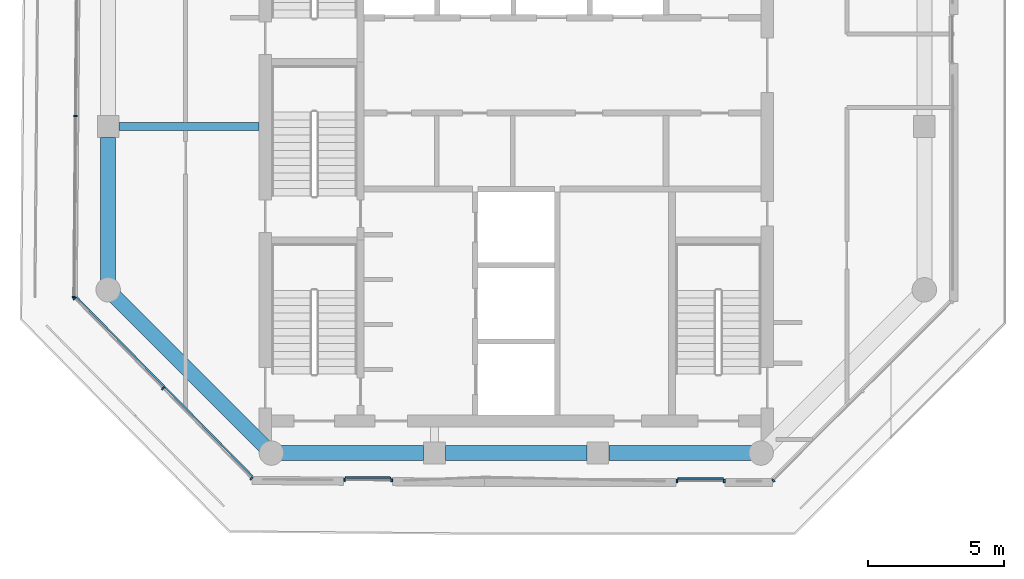
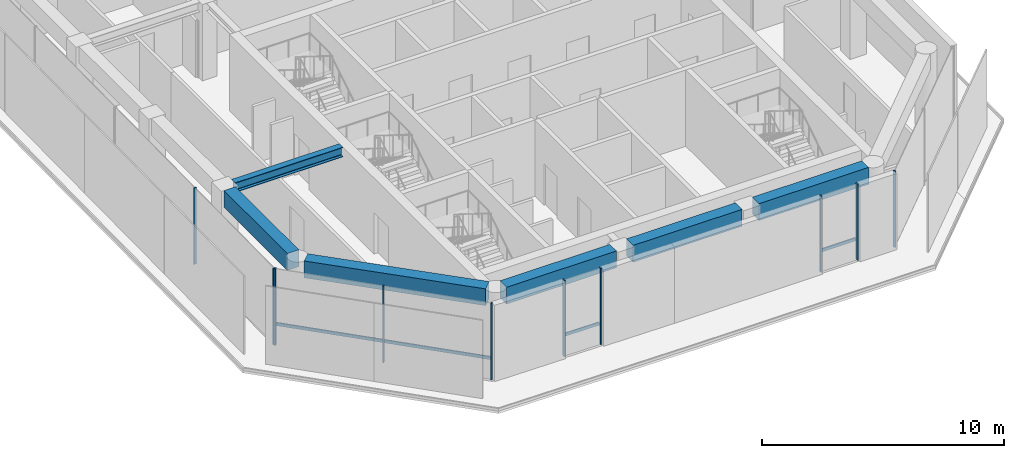
# One storey, part 2 of 19: 13 members, 6 beams, 5 elements without a shape of their own.
"""IFC4 building model written with IfcOpenShell, lengths in metres."""

import ifcopenshell
import ifcopenshell.guid

model = None  # the IFC model being written
_history = None  # IfcOwnerHistory: only IFC2X3 demands one
_inside = {}  # id of a spatial element -> (the spatial element, [elements in it])
_under = {}  # id of a project, library or spatial element -> (it, [spatial elements below it])
_declared = {}  # id of a project -> (the project, [libraries it declares])
_typed = {}  # id of a type object -> (the type object, [elements of that type])
_made_of = {}  # id of a material, layer set ... -> (it, [elements and type objects made of it])


def new_model(schema):
    """Start an empty IFC model of exactly this schema.

    Asked for "IFC4X3", IfcOpenShell would pick the latest addendum, in which some entities
    have other attributes; the version numbers below select the first issue.
    IFC2X3 requires an IfcOwnerHistory on every rooted entity: one is made here for all.
    """
    global model, _history
    if schema == "IFC4X3":
        model = ifcopenshell.file(schema_version=(4, 3, 0, 0))
    else:
        model = ifcopenshell.file(schema=schema)
    _inside.clear()
    _under.clear()
    _declared.clear()
    _typed.clear()
    _made_of.clear()
    _history = None
    if model.schema == "IFC2X3":
        org = make("IfcOrganization", Name="unknown")
        user = make(
            "IfcPersonAndOrganization",
            ThePerson=make("IfcPerson", FamilyName="unknown"),
            TheOrganization=org,
        )
        app = make(
            "IfcApplication",
            ApplicationDeveloper=org,
            Version="unknown",
            ApplicationFullName="unknown",
            ApplicationIdentifier="unknown",
        )
        _history = make(
            "IfcOwnerHistory",
            OwningUser=user,
            OwningApplication=app,
            ChangeAction="ADDED",
            CreationDate=0,
        )
    return model


def make(cls, **values):
    """One entity of the class cls with the attributes given. An attribute that is None is left unset."""
    return model.create_entity(
        cls, **{name: value for name, value in values.items() if value is not None}
    )


def rooted(cls, **values):
    """An entity with a GlobalId (a new one), such as an element, a storey or a relation."""
    return make(cls, GlobalId=ifcopenshell.guid.new(), OwnerHistory=_history, **values)


def si_unit(unit_type, name, prefix=None):
    """IfcSIUnit, for example si_unit("LENGTHUNIT", "METRE", prefix="MILLI")."""
    return make("IfcSIUnit", UnitType=unit_type, Prefix=prefix, Name=name)


def assignment(units):
    """IfcUnitAssignment: the units of a project."""
    return None if units is None else make("IfcUnitAssignment", Units=units)


def point(xyz):
    """IfcCartesianPoint."""
    return None if xyz is None else make("IfcCartesianPoint", Coordinates=xyz)


def direction(xyz):
    """IfcDirection."""
    return None if xyz is None else make("IfcDirection", DirectionRatios=xyz)


def frame(location, z_axis=None, x_axis=None):
    """IfcAxis2Placement3D, a coordinate frame: its origin and axes. An axis left out is left unset."""
    return make(
        "IfcAxis2Placement3D",
        Location=point(location),
        Axis=direction(z_axis),
        RefDirection=direction(x_axis),
    )


def frame_2d(location, x_axis=None):
    """IfcAxis2Placement2D, a coordinate frame in the plane: its origin and x axis."""
    return make(
        "IfcAxis2Placement2D", Location=point(location), RefDirection=direction(x_axis)
    )


def origin():
    """The frame at (0, 0, 0) with its axes left unset."""
    return frame((0.0, 0.0, 0.0))


def origin_2d():
    """The frame at (0, 0) in the plane with its x axis left unset."""
    return frame_2d((0.0, 0.0))


def place(relative_to, where):
    """IfcLocalPlacement: puts the frame where relative to a parent placement (None: the world)."""
    return make(
        "IfcLocalPlacement", PlacementRelTo=relative_to, RelativePlacement=where
    )


def context(
    kind, dimensions, precision=None, world=None, true_north=None, identifier=None
):
    """IfcGeometricRepresentationContext, for example the 3D "Model" context."""
    return make(
        "IfcGeometricRepresentationContext",
        ContextIdentifier=identifier,
        ContextType=kind,
        CoordinateSpaceDimension=dimensions,
        Precision=precision,
        WorldCoordinateSystem=world,
        TrueNorth=true_north,
    )


def subcontext(parent, identifier, kind, view, scale=None):
    """IfcGeometricRepresentationSubContext, for example "Body" below "Model"."""
    return make(
        "IfcGeometricRepresentationSubContext",
        ContextIdentifier=identifier,
        ContextType=kind,
        ParentContext=parent,
        TargetScale=scale,
        TargetView=view,
    )


def project(units=None, contexts=None):
    """IfcProject with its units and contexts."""
    return rooted(
        "IfcProject",
        Name="project",
        RepresentationContexts=contexts,
        UnitsInContext=assignment(units),
    )


def spatial(cls, under=None, at=None, **own):
    """A site, building, storey or space (cls), placed at a placement, below another one or the project."""
    s = rooted(cls, ObjectPlacement=at, **own)
    if under is not None:
        _under.setdefault(under.id(), (under, []))[1].append(s)
    return s


def profile(cls, at=None, kind="AREA", **sizes):
    """A parametric profile (cls). Its sizes go by their IFC names, for example OverallWidth=200.0."""
    return make(cls, ProfileType=kind, Position=at, **sizes)


def rectangle(**sizes):
    """IfcRectangleProfileDef."""
    return profile("IfcRectangleProfileDef", **sizes)


def i_section(**sizes):
    """IfcIShapeProfileDef."""
    return profile("IfcIShapeProfileDef", **sizes)


def extrude(swept, where, along, depth):
    """IfcExtrudedAreaSolid: the profile swept, set in the frame where, extruded along a direction by depth."""
    return make(
        "IfcExtrudedAreaSolid",
        SweptArea=swept,
        Position=where,
        ExtrudedDirection=direction(along),
        Depth=depth,
    )


def shape(context_of_items, identifier, shape_type, items):
    """IfcShapeRepresentation: the items that make up one representation, for example the "Body"."""
    return make(
        "IfcShapeRepresentation",
        ContextOfItems=context_of_items,
        RepresentationIdentifier=identifier,
        RepresentationType=shape_type,
        Items=items,
    )


def material(Name=None, Category=None):
    """IfcMaterial."""
    return make("IfcMaterial", Name=Name, Category=Category)


def layer(
    of_material, thickness, ventilated=None, Name=None, Category=None, Priority=None
):
    """IfcMaterialLayer: one layer of a wall or slab, of a material (None: an air gap)."""
    return make(
        "IfcMaterialLayer",
        Material=of_material,
        LayerThickness=thickness,
        IsVentilated=ventilated,
        Name=Name,
        Category=Category,
        Priority=Priority,
    )


def layer_set(layers, Name=None):
    """IfcMaterialLayerSet."""
    return make("IfcMaterialLayerSet", MaterialLayers=layers, LayerSetName=Name)


def material_profile(
    of_material, cross_section, Name=None, Category=None, Priority=None
):
    """IfcMaterialProfile: a cross section and its material."""
    return make(
        "IfcMaterialProfile",
        Name=Name,
        Material=of_material,
        Profile=cross_section,
        Priority=Priority,
        Category=Category,
    )


def profile_set(profiles, Name=None, composite=None):
    """IfcMaterialProfileSet."""
    return make(
        "IfcMaterialProfileSet",
        Name=Name,
        MaterialProfiles=profiles,
        CompositeProfile=composite,
    )


def made_of(thing, what):
    """Note that an element or type object is made of a material, layer set ...; save() writes the relation."""
    if what is not None:
        _made_of.setdefault(what.id(), (what, []))[1].append(thing)
    return thing


def type_object(cls, material=None, **own):
    """A type object (cls), such as IfcWallType, which elements share."""
    return made_of(rooted(cls, **own), material)


def element(
    cls,
    number,
    at=None,
    inside=None,
    cuts=None,
    type_object=None,
    material=None,
    context=None,
    identifier="Body",
    shape_type=None,
    held_by="IfcProductDefinitionShape",
    body=None,
    shapes=None,
    **own,
):
    """One element of the class cls, such as IfcWall. Its Tag is "e" and its number.

    at: its placement. inside: the storey or other place that contains it. cuts: it is an
    opening in that element (IfcRelVoidsElement). A single representation is given by context,
    identifier, shape_type and body (its items); several are given by shapes. held_by: the class
    of the entity that holds the representations. save() writes the other relations.
    """
    e = rooted(cls, Tag="e%d" % number, ObjectPlacement=at, **own)
    if body is not None:
        shapes = [shape(context, identifier, shape_type, body)]
    if shapes is not None:
        e.Representation = make(held_by, Representations=shapes)
    if inside is not None:
        _inside.setdefault(inside.id(), (inside, []))[1].append(e)
    if cuts is not None:
        rooted(
            "IfcRelVoidsElement", RelatingBuildingElement=cuts, RelatedOpeningElement=e
        )
    if type_object is not None:
        _typed.setdefault(type_object.id(), (type_object, []))[1].append(e)
    return made_of(e, material)


def aggregate(whole, parts):
    """IfcRelAggregates: a whole, such as a stair, and the parts it consists of."""
    return rooted("IfcRelAggregates", RelatingObject=whole, RelatedObjects=parts)


def save(model, path):
    """Write the relations noted so far, then the file.

    IfcRelAggregates (storeys below a building ...), IfcRelContainedInSpatialStructure (elements
    in a storey), IfcRelDefinesByType, IfcRelAssociatesMaterial and IfcRelDeclares: one each for
    every whole, place, type object, material and project.
    """
    for whole, parts in _under.values():
        aggregate(whole, parts)
    for where, things in _inside.values():
        rooted(
            "IfcRelContainedInSpatialStructure",
            RelatedElements=things,
            RelatingStructure=where,
        )
    for kind, things in _typed.values():
        rooted("IfcRelDefinesByType", RelatedObjects=things, RelatingType=kind)
    for what, things in _made_of.values():
        rooted("IfcRelAssociatesMaterial", RelatedObjects=things, RelatingMaterial=what)
    for by, libraries in _declared.values():
        rooted("IfcRelDeclares", RelatingContext=by, RelatedDefinitions=libraries)
    model.write(path)


model = new_model("IFC4")

# Units and contexts
model_context = context("Model", 3, precision=1e-05, world=origin(), true_north=direction((0.0, 1.0)))
body_context = subcontext(model_context, "Body", "Model", "MODEL_VIEW")
ifc_project = project(units=[si_unit("LENGTHUNIT", "METRE"), si_unit("AREAUNIT", "SQUARE_METRE"), si_unit("VOLUMEUNIT", "CUBIC_METRE"), si_unit("PLANEANGLEUNIT", "RADIAN"), si_unit("MASSUNIT", "GRAM", prefix="KILO")], contexts=[model_context])

# Site, building, storey
site_placement = place(None, origin())
site = spatial("IfcSite", under=ifc_project, at=site_placement, CompositionType="ELEMENT")
building_placement = place(site_placement, origin())
building = spatial("IfcBuilding", under=site, at=building_placement, Name="Welwitschia Terrace Campus", CompositionType="ELEMENT")
storey_placement = place(building_placement, frame((0.0, 0.0, 230.60009765625)))
storey = spatial("IfcBuildingStorey", under=building, at=storey_placement, Name="L51", CompositionType="ELEMENT", Elevation=230.60009765625)

# Curtain wall, members
ifc_material_1 = material(Name="Bronze anodised aluminium", Category="aluminium")
ifc_layer = layer(ifc_material_1, 0.1201171875)
ifc_layer_set = layer_set([ifc_layer], Name="Bronze anodised aluminium")
curtain_wall_type = type_object("IfcCurtainWallType", Name="Curtain wall CW2 tower 6000", PredefinedType="NOTDEFINED", material=ifc_layer_set)
curtain_wall_1_placement = place(storey_placement, origin())
curtain_wall_1 = element("IfcCurtainWall", 1, at=curtain_wall_1_placement, inside=storey, type_object=curtain_wall_type, Name="CW L51.2.0", PredefinedType="NOTDEFINED")
ifc_material_2 = material(Name="Bronze anodised aluminium", Category="aluminium")
ifc_material_profile_1 = material_profile(ifc_material_2, rectangle(XDim=0.1201171875, YDim=0.06005859375, at=origin_2d()))
ifc_profile_set_1 = profile_set([ifc_material_profile_1], Name="Bronze anodised aluminium")
member_type_1 = type_object("IfcMemberType", Name="Mullion 60x120", PredefinedType="MULLION", material=ifc_profile_set_1)
member_1_placement = place(storey_placement, frame((-1.205078125, 16.392333984375, 0.0), z_axis=(0.0, 0.0, 1.0), x_axis=(0.999961923064, -0.008726535498, 0.0)))
member_1 = element("IfcMember", 2, at=member_1_placement, type_object=member_type_1, Name="Mullion L51.2.0.3", PredefinedType="MULLION", context=body_context, shape_type="SweptSolid", body=[
    extrude(rectangle(XDim=0.1201171875, YDim=0.06005859375, at=origin_2d()), origin(), (0.0, 0.0, 1.0), 3.849853515625),
])
member_2_placement = place(storey_placement, frame((-1.26318359375, 9.7353515625, 0.0), z_axis=(0.0, 0.0, 1.0), x_axis=(0.999961923064, -0.008726535498, 0.0)))
member_2 = element("IfcMember", 3, at=member_2_placement, type_object=member_type_1, Name="Mullion L51.2.0.4", PredefinedType="MULLION", context=body_context, shape_type="SweptSolid", body=[
    extrude(rectangle(XDim=0.1201171875, YDim=0.06005859375, at=origin_2d()), origin(), (0.0, 0.0, 1.0), 3.849853515625),
])
aggregate(curtain_wall_1, [member_1, member_2])

curtain_wall_2_placement = place(storey_placement, origin())
curtain_wall_2 = element("IfcCurtainWall", 4, at=curtain_wall_2_placement, inside=storey, type_object=curtain_wall_type, Name="CW L51.3.0", PredefinedType="NOTDEFINED")
member_3_placement = place(storey_placement, frame((-1.242431640625, 9.683837890625, 0.0), z_axis=(0.0, 0.0, 1.0), x_axis=(0.713250449154, 0.7009092643, 0.0)))
member_3 = element("IfcMember", 5, at=member_3_placement, type_object=member_type_1, Name="Mullion L51.3.0.0", PredefinedType="MULLION", context=body_context, shape_type="SweptSolid", body=[
    extrude(rectangle(XDim=0.1201171875, YDim=0.06005859375, at=origin_2d()), origin(), (0.0, 0.0, 1.0), 3.849853515625),
])
member_4_placement = place(storey_placement, frame((2.00927734375, 6.375, 0.0), z_axis=(0.0, 0.0, 1.0), x_axis=(0.713250449154, 0.7009092643, 0.0)))
member_4 = element("IfcMember", 6, at=member_4_placement, type_object=member_type_1, Name="Mullion L51.3.0.1", PredefinedType="MULLION", context=body_context, shape_type="SweptSolid", body=[
    extrude(rectangle(XDim=0.1201171875, YDim=0.06005859375, at=origin_2d()), origin(), (0.0, 0.0, 1.0), 3.849853515625),
])
member_5_placement = place(storey_placement, frame((5.260986328125, 3.06591796875, 0.0), z_axis=(0.0, 0.0, 1.0), x_axis=(0.713250449154, 0.7009092643, 0.0)))
member_5 = element("IfcMember", 7, at=member_5_placement, type_object=member_type_1, Name="Mullion L51.3.0.2", PredefinedType="MULLION", context=body_context, shape_type="SweptSolid", body=[
    extrude(rectangle(XDim=0.1201171875, YDim=0.06005859375, at=origin_2d()), origin(), (0.0, 0.0, 1.0), 3.849853515625),
])

curtain_wall_3_placement = place(storey_placement, origin())
curtain_wall_3 = element("IfcCurtainWall", 8, at=curtain_wall_3_placement, inside=storey, type_object=curtain_wall_type, Name="CW L51.4.S0", PredefinedType="NOTDEFINED")
member_6_placement = place(storey_placement, frame((8.6845703125, 3.014892578125, 0.0), z_axis=(0.0, 0.0, 1.0), x_axis=(0.008726535498, 0.999961923064, 0.0)))
member_6 = element("IfcMember", 9, at=member_6_placement, type_object=member_type_1, Name="Mullion L51.4.S0.0", PredefinedType="MULLION", context=body_context, shape_type="SweptSolid", body=[
    extrude(rectangle(XDim=0.1201171875, YDim=0.06005859375, at=origin_2d()), origin(), (0.0, 0.0, 1.0), 3.849853515625),
])
member_7_placement = place(storey_placement, frame((10.424560546875, 2.999755859375, 0.0), z_axis=(0.0, 0.0, 1.0), x_axis=(0.008726535498, 0.999961923064, 0.0)))
member_7 = element("IfcMember", 10, at=member_7_placement, type_object=member_type_1, Name="Mullion L51.4.S0.1", PredefinedType="MULLION", context=body_context, shape_type="SweptSolid", body=[
    extrude(rectangle(XDim=0.1201171875, YDim=0.06005859375, at=origin_2d()), origin(), (0.0, 0.0, 1.0), 3.849853515625),
])

curtain_wall_4_placement = place(storey_placement, origin())
curtain_wall_4 = element("IfcCurtainWall", 11, at=curtain_wall_4_placement, inside=storey, type_object=curtain_wall_type, Name="CW L51.5.S0", PredefinedType="NOTDEFINED")
member_8_placement = place(storey_placement, frame((20.90673828125, 2.969970703125, 0.0), z_axis=(0.0, 0.0, 1.0), x_axis=(0.0, 1.0, 0.0)))
member_8 = element("IfcMember", 12, at=member_8_placement, type_object=member_type_1, Name="Mullion L51.5.S0.0", PredefinedType="MULLION", context=body_context, shape_type="SweptSolid", body=[
    extrude(rectangle(XDim=0.1201171875, YDim=0.06005859375, at=origin_2d()), origin(), (0.0, 0.0, 1.0), 3.849853515625),
])
member_9_placement = place(storey_placement, frame((22.646728515625, 2.969970703125, 0.0), z_axis=(0.0, 0.0, 1.0), x_axis=(0.0, 1.0, 0.0)))
member_9 = element("IfcMember", 13, at=member_9_placement, type_object=member_type_1, Name="Mullion L51.5.S0.1", PredefinedType="MULLION", context=body_context, shape_type="SweptSolid", body=[
    extrude(rectangle(XDim=0.1201171875, YDim=0.06005859375, at=origin_2d()), origin(), (0.0, 0.0, 1.0), 3.849853515625),
])

# Curtain wall, member
curtain_wall_5_placement = place(storey_placement, origin())
curtain_wall_5 = element("IfcCurtainWall", 14, at=curtain_wall_5_placement, inside=storey, type_object=curtain_wall_type, Name="CW L51.6.0", PredefinedType="NOTDEFINED")
member_10_placement = place(storey_placement, frame((24.44775390625, 2.9912109375, 0.0), z_axis=(0.0, 0.0, 1.0), x_axis=(-0.707106781187, 0.707106781187, 0.0)))
member_10 = element("IfcMember", 15, at=member_10_placement, type_object=member_type_1, Name="Mullion L51.6.0.0", PredefinedType="MULLION", context=body_context, shape_type="SweptSolid", body=[
    extrude(rectangle(XDim=0.1201171875, YDim=0.06005859375, at=origin_2d()), origin(), (0.0, 0.0, 1.0), 3.849853515625),
])
aggregate(curtain_wall_5, [member_10])

# Beams
ifc_material_3 = material(Name="Steel S355", Category="steel")
ifc_material_profile_2 = material_profile(ifc_material_3, i_section(OverallWidth=0.300048828125, OverallDepth=0.489990234375, WebThickness=0.011962890625, FlangeThickness=0.02294921875, FilletRadius=0.027099609375, at=origin_2d()))
ifc_profile_set_2 = profile_set([ifc_material_profile_2], Name="Steel S355")
beam_type_1 = type_object("IfcBeamType", Name="Primary beam HE 500 A", PredefinedType="BEAM", material=ifc_profile_set_2)
beam_1_placement = place(storey_placement, frame((0.400390625, 16.0, 3.60498046875), z_axis=(1.0, 0.0, 0.0), x_axis=(0.0, 1.0, 0.0)))
element("IfcBeam", 16, at=beam_1_placement, inside=storey, type_object=beam_type_1, Name="Primary beam PB5", PredefinedType="BEAM", context=body_context, shape_type="SweptSolid", body=[
    extrude(i_section(OverallWidth=0.300048828125, OverallDepth=0.489990234375, WebThickness=0.011962890625, FlangeThickness=0.02294921875, FilletRadius=0.027099609375, at=origin_2d()), origin(), (0.0, 0.0, 1.0), 5.149658203125),
])
ifc_material_4 = material(Name="Concrete C50/60", Category="concrete")
ifc_material_profile_3 = material_profile(ifc_material_4, rectangle(XDim=0.550048828125, YDim=0.85009765625, at=origin_2d()))
ifc_profile_set_3 = profile_set([ifc_material_profile_3], Name="Concrete C50/60")
beam_type_2 = type_object("IfcBeamType", Name="Ring spandrel 550x850", PredefinedType="SPANDREL", material=ifc_profile_set_3)
beam_2_placement = place(storey_placement, frame((0.25244140625, 9.74755859375, 3.4248046875), z_axis=(0.707106781187, -0.707106781187, 0.0), x_axis=(0.707106781187, 0.707106781187, 0.0)))
element("IfcBeam", 17, at=beam_2_placement, inside=storey, type_object=beam_type_2, Name="Spandrel SP3", PredefinedType="SPANDREL", context=body_context, shape_type="SweptSolid", body=[
    extrude(rectangle(XDim=0.550048828125, YDim=0.85009765625, at=origin_2d()), origin(), (0.0, 0.0, 1.0), 7.771240234375),
])
beam_3_placement = place(storey_placement, frame((6.35693359375, 4.0, 3.4248046875), z_axis=(1.0, 0.0, 0.0), x_axis=(0.0, 1.0, 0.0)))
element("IfcBeam", 18, at=beam_3_placement, inside=storey, type_object=beam_type_2, Name="Spandrel SP3", PredefinedType="SPANDREL", context=body_context, shape_type="SweptSolid", body=[
    extrude(rectangle(XDim=0.550048828125, YDim=0.85009765625, at=origin_2d()), origin(), (0.0, 0.0, 1.0), 5.24267578125),
])
beam_4_placement = place(storey_placement, frame((12.400390625, 4.0, 3.4248046875), z_axis=(1.0, 0.0, 0.0), x_axis=(0.0, 1.0, 0.0)))
element("IfcBeam", 19, at=beam_4_placement, inside=storey, type_object=beam_type_2, Name="Spandrel SP3", PredefinedType="SPANDREL", context=body_context, shape_type="SweptSolid", body=[
    extrude(rectangle(XDim=0.550048828125, YDim=0.85009765625, at=origin_2d()), origin(), (0.0, 0.0, 1.0), 5.19921875),
])
for number, where, z_axis, x_axis, name in (
    (20, (18.400390625, 4.0, 3.4248046875), (1.0, 0.0, 0.0), (0.0, 1.0, 0.0), "Spandrel SP3"),
    (21, (0.0, 15.599609375, 3.4248046875), (0.0, -1.0, 0.0), (1.0, 0.0, 0.0), "Spandrel SP3"),
):
    element("IfcBeam", number, at=place(storey_placement, frame(where, z_axis=z_axis, x_axis=x_axis)), inside=storey, type_object=beam_type_2, Name=name, PredefinedType="SPANDREL", context=body_context, shape_type="SweptSolid", body=[
        extrude(rectangle(XDim=0.550048828125, YDim=0.85009765625, at=origin_2d()), origin(), (0.0, 0.0, 1.0), 5.24267578125),
    ])

# Member
ifc_material_5 = material(Name="Bronze anodised aluminium", Category="aluminium")
ifc_material_profile_4 = material_profile(ifc_material_5, rectangle(XDim=0.06005859375, YDim=0.14990234375, at=origin_2d()))
ifc_profile_set_4 = profile_set([ifc_material_profile_4], Name="Bronze anodised aluminium")
member_type_2 = type_object("IfcMemberType", Name="Transom 60x150", PredefinedType="USERDEFINED", material=ifc_profile_set_4)
member_11_placement = place(storey_placement, frame((-1.1572265625, 9.7255859375, 1.0), z_axis=(0.700909228055, -0.713250484772, 0.0), x_axis=(0.713250484772, 0.700909228055, 0.0)))
member_11 = element("IfcMember", 22, at=member_11_placement, type_object=member_type_2, Name="Transom L51.3.0", ObjectType="TRANSOM", PredefinedType="USERDEFINED", context=body_context, shape_type="SweptSolid", body=[
    extrude(rectangle(XDim=0.06005859375, YDim=0.14990234375, at=origin_2d()), origin(), (0.0, 0.0, 1.0), 9.21875),
])

aggregate(curtain_wall_2, [member_3, member_4, member_5, member_11])

member_12_placement = place(storey_placement, frame((8.71533203125, 3.1044921875, 1.0), z_axis=(0.999961985908, -0.00871933137, 0.0), x_axis=(0.00871933137, 0.999961985908, 0.0)))
member_12 = element("IfcMember", 23, at=member_12_placement, type_object=member_type_2, Name="Transom L51.4.S0", ObjectType="TRANSOM", PredefinedType="USERDEFINED", context=body_context, shape_type="SweptSolid", body=[
    extrude(rectangle(XDim=0.06005859375, YDim=0.14990234375, at=origin_2d()), origin(), (0.0, 0.0, 1.0), 1.679931640625),
])

aggregate(curtain_wall_3, [member_6, member_7, member_12])

member_13_placement = place(storey_placement, frame((20.936767578125, 3.06005859375, 1.0), z_axis=(1.0, 0.0, 0.0), x_axis=(0.0, 1.0, 0.0)))
member_13 = element("IfcMember", 24, at=member_13_placement, type_object=member_type_2, Name="Transom L51.5.S0", ObjectType="TRANSOM", PredefinedType="USERDEFINED", context=body_context, shape_type="SweptSolid", body=[
    extrude(rectangle(XDim=0.06005859375, YDim=0.14990234375, at=origin_2d()), origin(), (0.0, 0.0, 1.0), 1.679931640625),
])

aggregate(curtain_wall_4, [member_8, member_9, member_13])

save(model, "model.ifc")
